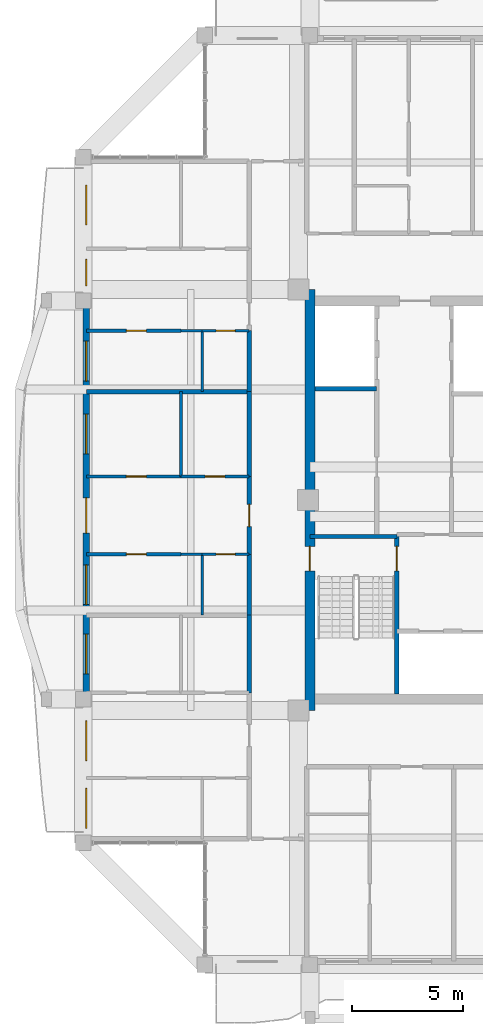
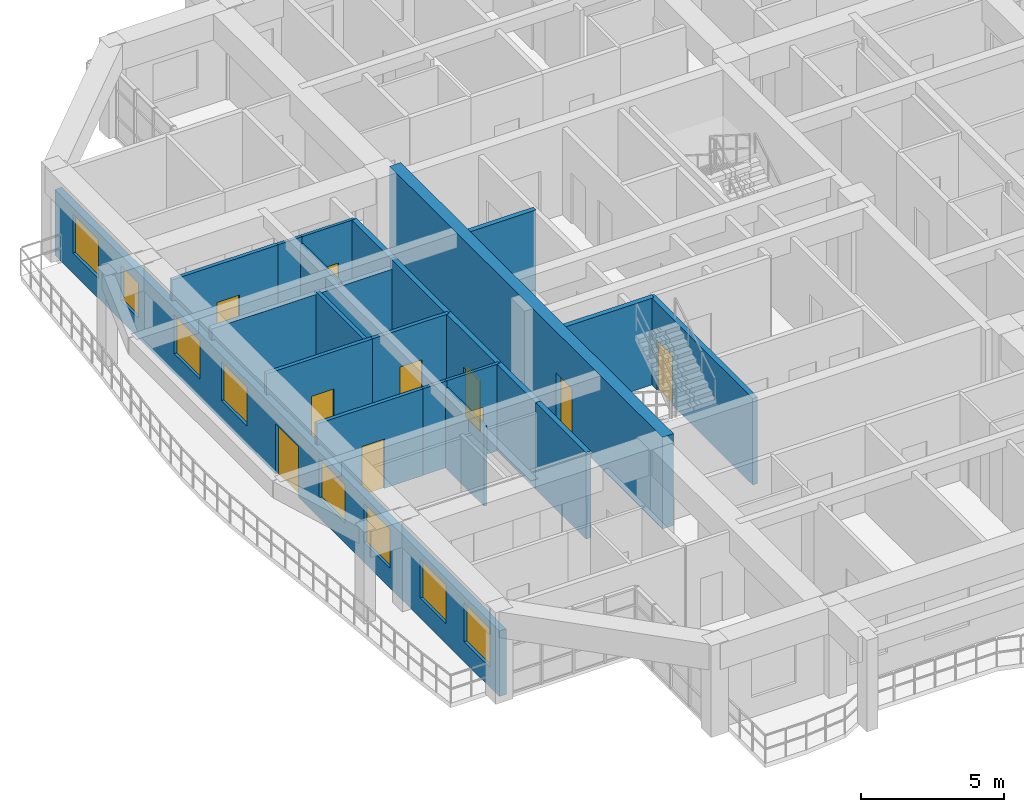
# One storey, part 17 of 27: 22 walls, 10 doors, 8 windows, 18 openings.
"""IFC4 building model written with IfcOpenShell, lengths in metres."""

from ifc_helpers import new_model, si_unit, direction, frame, frame_2d, origin, place, context, subcontext, project, spatial, rectangle, extrude, source, transform, mapped, material, layer, layer_set, type_object, element, fill, save


model = new_model("IFC4")

# Units and contexts
model_context = context("Model", 3, precision=1e-05, world=origin(), true_north=direction((0.0, 1.0)))
body_context = subcontext(model_context, "Body", "Model", "MODEL_VIEW")
ifc_project = project(units=[si_unit("LENGTHUNIT", "METRE"), si_unit("AREAUNIT", "SQUARE_METRE"), si_unit("VOLUMEUNIT", "CUBIC_METRE"), si_unit("PLANEANGLEUNIT", "RADIAN"), si_unit("MASSUNIT", "GRAM", prefix="KILO")], contexts=[model_context])

# Site, building, storey
site_placement = place(None, origin())
site = spatial("IfcSite", under=ifc_project, at=site_placement, CompositionType="ELEMENT")
building_placement = place(site_placement, origin())
building = spatial("IfcBuilding", under=site, at=building_placement, Name="Saelheon Loggia Tower", CompositionType="ELEMENT")
storey_placement = place(building_placement, frame((0.0, 0.0, 226.199951171875)))
storey = spatial("IfcBuildingStorey", under=building, at=storey_placement, Name="L70", CompositionType="ELEMENT", Elevation=226.199951171875)

# Wall, opening, door
ifc_material_1 = material(Name="Concrete C45/55", Category="concrete")
ifc_layer_1 = layer(ifc_material_1, 0.449951171875)
ifc_layer_set_1 = layer_set([ifc_layer_1], Name="Concrete C45/55")
wall_type_1 = type_object("IfcWallType", Name="Wall_CoreShear_450", PredefinedType="SHEAR", material=ifc_layer_set_1)
wall_1_placement = place(storey_placement, frame((31.5, 17.47998046875, 0.0), z_axis=(0.0, 0.0, 1.0), x_axis=(0.0, 1.0, 0.0)))
wall_1 = element("IfcWall", 1, at=wall_1_placement, inside=storey, type_object=wall_type_1, Name="L70 Core Shear Wall West", PredefinedType="SHEAR", context=body_context, shape_type="SweptSolid", body=[
    extrude(rectangle(XDim=19.0400390625, YDim=0.449951171875, at=frame_2d((9.52001953125, 0.0))), origin(), (0.0, 0.0, 1.0), 3.900146484375),
])
opening_1_placement = place(wall_1_placement, frame((6.320068359375, 0.0, 0.0)))
opening_1 = element("IfcOpeningElement", 2, at=opening_1_placement, cuts=wall_1, Name="Opening D-FD2", PredefinedType="OPENING", context=body_context, shape_type="SweptSolid", body=[
    extrude(rectangle(XDim=1.10009765625, YDim=2.14990234375, at=frame_2d((0.550048828125, 1.074951171875))), frame((0.0, 0.237060546875, 0.0), z_axis=(0.0, -1.0, 0.0), x_axis=(1.0, 0.0, 0.0)), (0.0, 0.0, 1.0), 0.473876953125),
])
ifc_material_2 = material(Name="Galvanised Steel Fire Door", Category="steel")
door_type_1 = type_object("IfcDoorType", Name="Door_Fire_FD60_1100", OperationType="NOTDEFINED", PredefinedType="DOOR", material=ifc_material_2)
shared_shape_1 = source(origin(), body_context, "Body", "SweptSolid", [
    extrude(rectangle(XDim=1.10009765625, YDim=2.14990234375, at=frame_2d((0.550048828125, 1.074951171875))), frame((0.0, 0.02490234375, 0.0), z_axis=(0.0, -1.0, 0.0), x_axis=(1.0, 0.0, 0.0)), (0.0, 0.0, 1.0), 0.050048828125),
])
door_1_placement = place(opening_1_placement, origin())
door_1 = element("IfcDoor", 3, at=door_1_placement, inside=storey, type_object=door_type_1, Name="L70 Stair ST1 Corridor Door", OperationType="SINGLE_SWING_LEFT", OverallHeight=2.14990234375, OverallWidth=1.10009765625, PredefinedType="DOOR", context=body_context, shape_type="MappedRepresentation", body=[
    mapped(shared_shape_1, transform((0.0, 0.0, 0.0), scale=1.0)),
])
fill(opening_1, door_1)

# Wall, openings, windows, door
ifc_material_3 = material(Name="Architectural Precast Concrete C40/50", Category="concrete")
ifc_layer_2 = layer(ifc_material_3, 0.280029296875)
ifc_layer_set_2 = layer_set([ifc_layer_2], Name="Architectural Precast Concrete C40/50")
wall_type_2 = type_object("IfcWallType", Name="Wall_Ext_Loggia_280", PredefinedType="SOLIDWALL", material=ifc_layer_set_2)
wall_2_placement = place(storey_placement, frame((21.389892578125, 11.5, 0.0), z_axis=(0.0, 0.0, 1.0), x_axis=(0.0, 1.0, 0.0)))
wall_2 = element("IfcWall", 4, at=wall_2_placement, inside=storey, type_object=wall_type_2, Name="L70 West Loggia Inner Wall", PredefinedType="SOLIDWALL", context=body_context, shape_type="SweptSolid", body=[
    extrude(rectangle(XDim=31.0, YDim=0.280029296875, at=frame_2d((15.5, 0.0))), origin(), (0.0, 0.0, 1.0), 2.7900390625),
])
opening_2_placement = place(wall_2_placement, frame((0.659912109375, 0.0, 0.85009765625)))
opening_2 = element("IfcOpeningElement", 5, at=opening_2_placement, cuts=wall_2, Name="Opening WN-01", PredefinedType="OPENING", context=body_context, shape_type="SweptSolid", body=[
    extrude(rectangle(XDim=1.800048828125, YDim=1.64990234375, at=frame_2d((0.89990234375, 0.824951171875))), frame((0.0, 0.152099609375, 0.0), z_axis=(0.0, -1.0, 0.0), x_axis=(1.0, 0.0, 0.0)), (0.0, 0.0, 1.0), 0.303955078125),
])
opening_3_placement = place(wall_2_placement, frame((3.719970703125, 0.0, 0.85009765625)))
opening_3 = element("IfcOpeningElement", 6, at=opening_3_placement, cuts=wall_2, Name="Opening WN-01", PredefinedType="OPENING", context=body_context, shape_type="SweptSolid", body=[
    extrude(rectangle(XDim=1.800048828125, YDim=1.64990234375, at=frame_2d((0.89990234375, 0.824951171875))), frame((0.0, 0.152099609375, 0.0), z_axis=(0.0, -1.0, 0.0), x_axis=(1.0, 0.0, 0.0)), (0.0, 0.0, 1.0), 0.303955078125),
])
opening_4_placement = place(wall_2_placement, frame((7.635498046875, 0.0, 0.85009765625)))
opening_4 = element("IfcOpeningElement", 7, at=opening_4_placement, cuts=wall_2, Name="Opening WN-01", PredefinedType="OPENING", context=body_context, shape_type="SweptSolid", body=[
    extrude(rectangle(XDim=1.800048828125, YDim=1.64990234375, at=frame_2d((0.89990234375, 0.824951171875))), frame((0.0, 0.152099609375, 0.0), z_axis=(0.0, -1.0, 0.0), x_axis=(1.0, 0.0, 0.0)), (0.0, 0.0, 1.0), 0.303955078125),
])
opening_5_placement = place(wall_2_placement, frame((10.76611328125, 0.0, 0.85009765625)))
opening_5 = element("IfcOpeningElement", 8, at=opening_5_placement, cuts=wall_2, Name="Opening WN-01", PredefinedType="OPENING", context=body_context, shape_type="SweptSolid", body=[
    extrude(rectangle(XDim=1.800048828125, YDim=1.64990234375, at=frame_2d((0.89990234375, 0.824951171875))), frame((0.0, 0.152099609375, 0.0), z_axis=(0.0, -1.0, 0.0), x_axis=(1.0, 0.0, 0.0)), (0.0, 0.0, 1.0), 0.303955078125),
])
opening_6_placement = place(wall_2_placement, frame((14.00048828125, 0.0, 0.0)))
opening_6 = element("IfcOpeningElement", 9, at=opening_6_placement, cuts=wall_2, Name="Opening DLG-1", PredefinedType="OPENING", context=body_context, shape_type="SweptSolid", body=[
    extrude(rectangle(XDim=1.60009765625, YDim=2.14990234375, at=frame_2d((0.800048828125, 1.074951171875))), frame((0.0, 0.152099609375, 0.0), z_axis=(0.0, -1.0, 0.0), x_axis=(1.0, 0.0, 0.0)), (0.0, 0.0, 1.0), 0.303955078125),
])
opening_7_placement = place(wall_2_placement, frame((17.581298828125, 0.0, 0.85009765625)))
opening_7 = element("IfcOpeningElement", 10, at=opening_7_placement, cuts=wall_2, Name="Opening WN-01", PredefinedType="OPENING", context=body_context, shape_type="SweptSolid", body=[
    extrude(rectangle(XDim=1.800048828125, YDim=1.64990234375, at=frame_2d((0.89990234375, 0.824951171875))), frame((0.0, 0.152099609375, 0.0), z_axis=(0.0, -1.0, 0.0), x_axis=(1.0, 0.0, 0.0)), (0.0, 0.0, 1.0), 0.303955078125),
])
opening_8_placement = place(wall_2_placement, frame((20.87744140625, 0.0, 0.85009765625)))
opening_8 = element("IfcOpeningElement", 11, at=opening_8_placement, cuts=wall_2, Name="Opening WN-01", PredefinedType="OPENING", context=body_context, shape_type="SweptSolid", body=[
    extrude(rectangle(XDim=1.800048828125, YDim=1.64990234375, at=frame_2d((0.89990234375, 0.824951171875))), frame((0.0, 0.152099609375, 0.0), z_axis=(0.0, -1.0, 0.0), x_axis=(1.0, 0.0, 0.0)), (0.0, 0.0, 1.0), 0.303955078125),
])
opening_9_placement = place(wall_2_placement, frame((25.175537109375, 0.0, 0.85009765625)))
opening_9 = element("IfcOpeningElement", 12, at=opening_9_placement, cuts=wall_2, Name="Opening WN-03", PredefinedType="OPENING", context=body_context, shape_type="SweptSolid", body=[
    extrude(rectangle(XDim=1.199951171875, YDim=1.5, at=frame_2d((0.60009765625, 0.75))), frame((0.0, 0.152099609375, 0.0), z_axis=(0.0, -1.0, 0.0), x_axis=(1.0, 0.0, 0.0)), (0.0, 0.0, 1.0), 0.303955078125),
])
opening_10_placement = place(wall_2_placement, frame((27.935791015625, 0.0, 0.85009765625)))
opening_10 = element("IfcOpeningElement", 13, at=opening_10_placement, cuts=wall_2, Name="Opening WN-01", PredefinedType="OPENING", context=body_context, shape_type="SweptSolid", body=[
    extrude(rectangle(XDim=1.800048828125, YDim=1.64990234375, at=frame_2d((0.89990234375, 0.824951171875))), frame((0.0, 0.152099609375, 0.0), z_axis=(0.0, -1.0, 0.0), x_axis=(1.0, 0.0, 0.0)), (0.0, 0.0, 1.0), 0.303955078125),
])
ifc_material_4 = material(Name="Thermal-Break Aluminium and Triple Low-E Glass", Category="aluminium")
window_type_1 = type_object("IfcWindowType", Name="Win_Dwelling_1800x1650", PartitioningType="SINGLE_PANEL", PredefinedType="WINDOW", material=ifc_material_4)
shared_shape_2 = source(origin(), body_context, "Body", "SweptSolid", [
    extrude(rectangle(XDim=1.800048828125, YDim=1.64990234375, at=frame_2d((0.89990234375, 0.824951171875))), frame((0.0, 0.030029296875, 0.0), z_axis=(0.0, -1.0, 0.0), x_axis=(1.0, 0.0, 0.0)), (0.0, 0.0, 1.0), 0.06005859375),
])
window_1_placement = place(opening_2_placement, origin())
window_1 = element("IfcWindow", 14, at=window_1_placement, inside=storey, type_object=window_type_1, Name="L70 W Dwelling Window 1", OverallHeight=1.64990234375, OverallWidth=1.800048828125, PartitioningType="SINGLE_PANEL", PredefinedType="WINDOW", context=body_context, shape_type="MappedRepresentation", body=[
    mapped(shared_shape_2, transform((0.0, 0.0, 0.0), scale=1.0)),
])
fill(opening_2, window_1)
window_2_placement = place(opening_3_placement, origin())
window_2 = element("IfcWindow", 15, at=window_2_placement, inside=storey, type_object=window_type_1, Name="L70 W Dwelling Window 2", OverallHeight=1.64990234375, OverallWidth=1.800048828125, PartitioningType="SINGLE_PANEL", PredefinedType="WINDOW", context=body_context, shape_type="MappedRepresentation", body=[
    mapped(shared_shape_2, transform((0.0, 0.0, 0.0), scale=1.0)),
])
fill(opening_3, window_2)
window_3_placement = place(opening_4_placement, origin())
window_3 = element("IfcWindow", 16, at=window_3_placement, inside=storey, type_object=window_type_1, Name="L70 W Dwelling Window 3", OverallHeight=1.64990234375, OverallWidth=1.800048828125, PartitioningType="SINGLE_PANEL", PredefinedType="WINDOW", context=body_context, shape_type="MappedRepresentation", body=[
    mapped(shared_shape_2, transform((0.0, 0.0, 0.0), scale=1.0)),
])
fill(opening_4, window_3)
window_4_placement = place(opening_5_placement, origin())
window_4 = element("IfcWindow", 17, at=window_4_placement, inside=storey, type_object=window_type_1, Name="L70 W Dwelling Window 4", OverallHeight=1.64990234375, OverallWidth=1.800048828125, PartitioningType="SINGLE_PANEL", PredefinedType="WINDOW", context=body_context, shape_type="MappedRepresentation", body=[
    mapped(shared_shape_2, transform((0.0, 0.0, 0.0), scale=1.0)),
])
fill(opening_5, window_4)
window_5_placement = place(opening_7_placement, origin())
window_5 = element("IfcWindow", 18, at=window_5_placement, inside=storey, type_object=window_type_1, Name="L70 W Dwelling Window 6", OverallHeight=1.64990234375, OverallWidth=1.800048828125, PartitioningType="SINGLE_PANEL", PredefinedType="WINDOW", context=body_context, shape_type="MappedRepresentation", body=[
    mapped(shared_shape_2, transform((0.0, 0.0, 0.0), scale=1.0)),
])
fill(opening_7, window_5)
window_6_placement = place(opening_8_placement, origin())
window_6 = element("IfcWindow", 19, at=window_6_placement, inside=storey, type_object=window_type_1, Name="L70 W Dwelling Window 7", OverallHeight=1.64990234375, OverallWidth=1.800048828125, PartitioningType="SINGLE_PANEL", PredefinedType="WINDOW", context=body_context, shape_type="MappedRepresentation", body=[
    mapped(shared_shape_2, transform((0.0, 0.0, 0.0), scale=1.0)),
])
fill(opening_8, window_6)
window_7_placement = place(opening_10_placement, origin())
window_7 = element("IfcWindow", 20, at=window_7_placement, inside=storey, type_object=window_type_1, Name="L70 W Dwelling Window 9", OverallHeight=1.64990234375, OverallWidth=1.800048828125, PartitioningType="SINGLE_PANEL", PredefinedType="WINDOW", context=body_context, shape_type="MappedRepresentation", body=[
    mapped(shared_shape_2, transform((0.0, 0.0, 0.0), scale=1.0)),
])
fill(opening_10, window_7)
window_type_2 = type_object("IfcWindowType", Name="Win_Bedroom_1200x1500", PartitioningType="SINGLE_PANEL", PredefinedType="WINDOW", material=ifc_material_4)
shared_shape_3 = source(origin(), body_context, "Body", "SweptSolid", [
    extrude(rectangle(XDim=1.199951171875, YDim=1.5, at=frame_2d((0.60009765625, 0.75))), frame((0.0, 0.030029296875, 0.0), z_axis=(0.0, -1.0, 0.0), x_axis=(1.0, 0.0, 0.0)), (0.0, 0.0, 1.0), 0.06005859375),
])
window_8_placement = place(opening_9_placement, origin())
window_8 = element("IfcWindow", 21, at=window_8_placement, inside=storey, type_object=window_type_2, Name="L70 W Dwelling Window 8", OverallHeight=1.5, OverallWidth=1.199951171875, PartitioningType="SINGLE_PANEL", PredefinedType="WINDOW", context=body_context, shape_type="MappedRepresentation", body=[
    mapped(shared_shape_3, transform((0.0, 0.0, 0.0), scale=1.0)),
])
fill(opening_9, window_8)
ifc_material_5 = material(Name="Thermal-Break Aluminium Sliding Glazed Door", Category="aluminium")
door_type_2 = type_object("IfcDoorType", Name="Door_LoggiaSlide_1600", OperationType="SLIDING_TO_LEFT", PredefinedType="DOOR", material=ifc_material_5)
shared_shape_4 = source(origin(), body_context, "Body", "SweptSolid", [
    extrude(rectangle(XDim=1.60009765625, YDim=2.14990234375, at=frame_2d((0.800048828125, 1.074951171875))), frame((0.0, 0.02490234375, 0.0), z_axis=(0.0, -1.0, 0.0), x_axis=(1.0, 0.0, 0.0)), (0.0, 0.0, 1.0), 0.050048828125),
])
door_2_placement = place(opening_6_placement, origin())
door_2 = element("IfcDoor", 22, at=door_2_placement, inside=storey, type_object=door_type_2, Name="L70 W Loggia Access Door", OperationType="SLIDING_TO_LEFT", OverallHeight=2.14990234375, OverallWidth=1.60009765625, PredefinedType="DOOR", context=body_context, shape_type="MappedRepresentation", body=[
    mapped(shared_shape_4, transform((0.0, 0.0, 0.0), scale=1.0)),
])
fill(opening_6, door_2)

# Wall
ifc_material_6 = material(Name="Lightweight Autoclaved Aerated Concrete Block and Acoustic Gypsum", Category="concrete")
ifc_layer_3 = layer(ifc_material_6, 0.14990234375)
ifc_layer_set_3 = layer_set([ifc_layer_3], Name="Lightweight Autoclaved Aerated Concrete Block and Acoustic Gypsum")
wall_type_3 = type_object("IfcWallType", Name="Wall_Part_150", PredefinedType="PARTITIONING", material=ifc_layer_set_3)
wall_3_placement = place(storey_placement, frame((25.669921875, 28.06005859375, 0.0), z_axis=(0.0, 0.0, 1.0), x_axis=(0.0, 1.0, 0.0)))
element("IfcWall", 23, at=wall_3_placement, inside=storey, type_object=wall_type_3, Name="L70 W Partition V18", PredefinedType="PARTITIONING", context=body_context, shape_type="SweptSolid", body=[
    extrude(rectangle(XDim=3.84228515625, YDim=0.14990234375, at=frame_2d((1.921142578125, 0.0))), origin(), (0.0, 0.0, 1.0), 3.39013671875),
])

# Wall, opening, door
wall_4_placement = place(storey_placement, frame((25.669921875, 24.541259765625, 0.0), z_axis=(0.0, 0.0, 1.0), x_axis=(-1.0, 0.0, 0.0)))
wall_4 = element("IfcWall", 24, at=wall_4_placement, inside=storey, type_object=wall_type_3, Name="L70 W Partition U21", PredefinedType="PARTITIONING", context=body_context, shape_type="SweptSolid", body=[
    extrude(rectangle(XDim=4.27001953125, YDim=0.14990234375, at=frame_2d((2.135009765625, 0.0))), origin(), (0.0, 0.0, 1.0), 3.68994140625),
])
opening_11_placement = place(wall_4_placement, frame((1.564697265625, 0.0, 0.0)))
opening_11 = element("IfcOpeningElement", 25, at=opening_11_placement, cuts=wall_4, Name="Opening D-IN2", PredefinedType="OPENING", context=body_context, shape_type="SweptSolid", body=[
    extrude(rectangle(XDim=0.89990234375, YDim=2.10009765625, at=frame_2d((0.449951171875, 1.050048828125))), frame((0.0, 0.0869140625, 0.0), z_axis=(0.0, -1.0, 0.0), x_axis=(1.0, 0.0, 0.0)), (0.0, 0.0, 1.0), 0.173828125),
])
ifc_material_7 = material(Name="Engineered Oak Flush Door", Category="timber")
door_type_3 = type_object("IfcDoorType", Name="Door_Int_900", OperationType="NOTDEFINED", PredefinedType="DOOR", material=ifc_material_7)
shared_shape_5 = source(origin(), body_context, "Body", "SweptSolid", [
    extrude(rectangle(XDim=0.89990234375, YDim=2.10009765625, at=frame_2d((0.449951171875, 1.050048828125))), frame((0.0, 0.02490234375, 0.0), z_axis=(0.0, -1.0, 0.0), x_axis=(1.0, 0.0, 0.0)), (0.0, 0.0, 1.0), 0.050048828125),
])
door_3_placement = place(opening_11_placement, origin())
door_3 = element("IfcDoor", 26, at=door_3_placement, inside=storey, type_object=door_type_3, Name="Unit U06 Kitchen Door", OperationType="SINGLE_SWING_RIGHT", OverallHeight=2.10009765625, OverallWidth=0.89990234375, PredefinedType="DOOR", context=body_context, shape_type="MappedRepresentation", body=[
    mapped(shared_shape_5, transform((0.0, 0.0, 0.0), scale=1.0)),
])
fill(opening_11, door_3)

wall_5_placement = place(storey_placement, frame((28.75, 28.06005859375, 0.0), z_axis=(0.0, 0.0, 1.0), x_axis=(-1.0, 0.0, 0.0)))
wall_5 = element("IfcWall", 27, at=wall_5_placement, inside=storey, type_object=wall_type_3, Name="L70 W Partition U22", PredefinedType="PARTITIONING", context=body_context, shape_type="SweptSolid", body=[
    extrude(rectangle(XDim=3.080078125, YDim=0.14990234375, at=frame_2d((1.5400390625, 0.0))), origin(), (0.0, 0.0, 1.0), 3.68994140625),
])
opening_12_placement = place(wall_5_placement, frame((1.090087890625, 0.0, 0.0)))
opening_12 = element("IfcOpeningElement", 28, at=opening_12_placement, cuts=wall_5, Name="Opening D-IN2", PredefinedType="OPENING", context=body_context, shape_type="SweptSolid", body=[
    extrude(rectangle(XDim=0.89990234375, YDim=2.10009765625, at=frame_2d((0.449951171875, 1.050048828125))), frame((0.0, 0.0869140625, 0.0), z_axis=(0.0, -1.0, 0.0), x_axis=(1.0, 0.0, 0.0)), (0.0, 0.0, 1.0), 0.173828125),
])
door_4_placement = place(opening_12_placement, origin())
door_4 = element("IfcDoor", 29, at=door_4_placement, inside=storey, type_object=door_type_3, Name="Unit U06 Home Office Door", OperationType="SINGLE_SWING_LEFT", OverallHeight=2.10009765625, OverallWidth=0.89990234375, PredefinedType="DOOR", context=body_context, shape_type="MappedRepresentation", body=[
    mapped(shared_shape_5, transform((0.0, 0.0, 0.0), scale=1.0)),
])
fill(opening_12, door_4)

wall_6_placement = place(storey_placement, frame((25.669921875, 28.06005859375, 0.0), z_axis=(0.0, 0.0, 1.0), x_axis=(-1.0, 0.0, 0.0)))
wall_6 = element("IfcWall", 30, at=wall_6_placement, inside=storey, type_object=wall_type_3, Name="L70 W Partition U23", PredefinedType="PARTITIONING", context=body_context, shape_type="SweptSolid", body=[
    extrude(rectangle(XDim=4.27001953125, YDim=0.14990234375, at=frame_2d((2.135009765625, 0.0))), origin(), (0.0, 0.0, 1.0), 3.68994140625),
])
opening_13_placement = place(wall_6_placement, frame((1.564697265625, 0.0, 0.0)))
opening_13 = element("IfcOpeningElement", 31, at=opening_13_placement, cuts=wall_6, Name="Opening D-IN2", PredefinedType="OPENING", context=body_context, shape_type="SweptSolid", body=[
    extrude(rectangle(XDim=0.89990234375, YDim=2.10009765625, at=frame_2d((0.449951171875, 1.050048828125))), frame((0.0, 0.0869140625, 0.0), z_axis=(0.0, -1.0, 0.0), x_axis=(1.0, 0.0, 0.0)), (0.0, 0.0, 1.0), 0.173828125),
])
door_5_placement = place(opening_13_placement, origin())
door_5 = element("IfcDoor", 32, at=door_5_placement, inside=storey, type_object=door_type_3, Name="Unit U06 Bedroom 1 Door", OperationType="SINGLE_SWING_RIGHT", OverallHeight=2.10009765625, OverallWidth=0.89990234375, PredefinedType="DOOR", context=body_context, shape_type="MappedRepresentation", body=[
    mapped(shared_shape_5, transform((0.0, 0.0, 0.0), scale=1.0)),
])
fill(opening_13, door_5)

wall_7_placement = place(storey_placement, frame((25.669921875, 34.65234375, 0.0), z_axis=(0.0, 0.0, 1.0), x_axis=(-1.0, 0.0, 0.0)))
wall_7 = element("IfcWall", 33, at=wall_7_placement, inside=storey, type_object=wall_type_3, Name="L70 W Partition U32", PredefinedType="PARTITIONING", context=body_context, shape_type="SweptSolid", body=[
    extrude(rectangle(XDim=4.27001953125, YDim=0.14990234375, at=frame_2d((2.135009765625, 0.0))), origin(), (0.0, 0.0, 1.0), 3.68994140625),
])
opening_14_placement = place(wall_7_placement, frame((1.564697265625, 0.0, 0.0)))
opening_14 = element("IfcOpeningElement", 34, at=opening_14_placement, cuts=wall_7, Name="Opening D-IN2", PredefinedType="OPENING", context=body_context, shape_type="SweptSolid", body=[
    extrude(rectangle(XDim=0.89990234375, YDim=2.10009765625, at=frame_2d((0.449951171875, 1.050048828125))), frame((0.0, 0.0869140625, 0.0), z_axis=(0.0, -1.0, 0.0), x_axis=(1.0, 0.0, 0.0)), (0.0, 0.0, 1.0), 0.173828125),
])
door_6_placement = place(opening_14_placement, origin())
door_6 = element("IfcDoor", 35, at=door_6_placement, inside=storey, type_object=door_type_3, Name="Unit U07 Kitchen Door", OperationType="SINGLE_SWING_LEFT", OverallHeight=2.10009765625, OverallWidth=0.89990234375, PredefinedType="DOOR", context=body_context, shape_type="MappedRepresentation", body=[
    mapped(shared_shape_5, transform((0.0, 0.0, 0.0), scale=1.0)),
])
fill(opening_14, door_6)

# Walls
ifc_material_8 = material(Name="Double Acoustic Stud and Fireboard Partition", Category="gypsum")
ifc_layer_4 = layer(ifc_material_8, 0.199951171875)
ifc_layer_set_4 = layer_set([ifc_layer_4], Name="Double Acoustic Stud and Fireboard Partition")
wall_type_4 = type_object("IfcWallType", Name="Wall_Party_200", PredefinedType="PARTITIONING", material=ifc_layer_set_4)
wall_8_placement = place(storey_placement, frame((28.75, 18.280029296875, 0.0), z_axis=(0.0, 0.0, 1.0), x_axis=(0.0, 1.0, 0.0)))
element("IfcWall", 36, at=wall_8_placement, inside=storey, type_object=wall_type_4, Name="L70 W Partition V05", PredefinedType="PARTITIONING", context=body_context, shape_type="SweptSolid", body=[
    extrude(rectangle(XDim=3.51123046875, YDim=0.199951171875, at=frame_2d((1.755615234375, 0.0))), origin(), (0.0, 0.0, 1.0), 3.68994140625),
])
wall_9_placement = place(storey_placement, frame((28.75, 21.791259765625, 0.0), z_axis=(0.0, 0.0, 1.0), x_axis=(0.0, 1.0, 0.0)))
element("IfcWall", 37, at=wall_9_placement, inside=storey, type_object=wall_type_4, Name="L70 W Partition V14", PredefinedType="PARTITIONING", context=body_context, shape_type="SweptSolid", body=[
    extrude(rectangle(XDim=2.75, YDim=0.199951171875, at=frame_2d((1.375, 0.0))), origin(), (0.0, 0.0, 1.0), 3.68994140625),
])

# Wall, opening, door
wall_10_placement = place(storey_placement, frame((28.75, 24.541259765625, 0.0), z_axis=(0.0, 0.0, 1.0), x_axis=(0.0, 1.0, 0.0)))
wall_10 = element("IfcWall", 38, at=wall_10_placement, inside=storey, type_object=wall_type_4, Name="L70 W Partition V15", PredefinedType="PARTITIONING", context=body_context, shape_type="SweptSolid", body=[
    extrude(rectangle(XDim=3.518798828125, YDim=0.199951171875, at=frame_2d((1.75927734375, 0.0))), origin(), (0.0, 0.0, 1.0), 3.68994140625),
])
opening_15_placement = place(wall_10_placement, frame((1.259521484375, 0.0, 0.0)))
opening_15 = element("IfcOpeningElement", 39, at=opening_15_placement, cuts=wall_10, Name="Opening D-FD1", PredefinedType="OPENING", context=body_context, shape_type="SweptSolid", body=[
    extrude(rectangle(XDim=1.0, YDim=2.14990234375, at=frame_2d((0.5, 1.074951171875))), frame((0.0, 0.112060546875, 0.0), z_axis=(0.0, -1.0, 0.0), x_axis=(1.0, 0.0, 0.0)), (0.0, 0.0, 1.0), 0.223876953125),
])
ifc_material_9 = material(Name="Fire-Rated Engineered Timber Entrance Door", Category="wood")
door_type_4 = type_object("IfcDoorType", Name="Door_Flat_FD30S", OperationType="NOTDEFINED", PredefinedType="DOOR", material=ifc_material_9)
shared_shape_6 = source(origin(), body_context, "Body", "SweptSolid", [
    extrude(rectangle(XDim=1.0, YDim=2.14990234375, at=frame_2d((0.5, 1.074951171875))), frame((0.0, 0.02490234375, 0.0), z_axis=(0.0, -1.0, 0.0), x_axis=(1.0, 0.0, 0.0)), (0.0, 0.0, 1.0), 0.050048828125),
])
door_7_placement = place(opening_15_placement, origin())
door_7 = element("IfcDoor", 40, at=door_7_placement, inside=storey, type_object=door_type_4, Name="Unit U06 Entrance Door", OperationType="SINGLE_SWING_RIGHT", OverallHeight=2.14990234375, OverallWidth=1.0, PredefinedType="DOOR", context=body_context, shape_type="MappedRepresentation", body=[
    mapped(shared_shape_6, transform((0.0, 0.0, 0.0), scale=1.0)),
])
fill(opening_15, door_7)

# Walls
wall_11_placement = place(storey_placement, frame((28.75, 28.06005859375, 0.0), z_axis=(0.0, 0.0, 1.0), x_axis=(0.0, 1.0, 0.0)))
element("IfcWall", 41, at=wall_11_placement, inside=storey, type_object=wall_type_4, Name="L70 W Partition V16", PredefinedType="PARTITIONING", context=body_context, shape_type="SweptSolid", body=[
    extrude(rectangle(XDim=3.84228515625, YDim=0.199951171875, at=frame_2d((1.921142578125, 0.0))), origin(), (0.0, 0.0, 1.0), 3.68994140625),
])
wall_12_placement = place(storey_placement, frame((28.75, 31.90234375, 0.0), z_axis=(0.0, 0.0, 1.0), x_axis=(-1.0, 0.0, 0.0)))
element("IfcWall", 42, at=wall_12_placement, inside=storey, type_object=wall_type_4, Name="L70 W Partition U24", PredefinedType="PARTITIONING", context=body_context, shape_type="SweptSolid", body=[
    extrude(rectangle(XDim=7.35009765625, YDim=0.199951171875, at=frame_2d((3.675048828125, 0.0))), origin(), (0.0, 0.0, 1.0), 3.2900390625),
])
wall_13_placement = place(storey_placement, frame((28.75, 31.90234375, 0.0), z_axis=(0.0, 0.0, 1.0), x_axis=(0.0, 1.0, 0.0)))
element("IfcWall", 43, at=wall_13_placement, inside=storey, type_object=wall_type_4, Name="L70 W Partition V25", PredefinedType="PARTITIONING", context=body_context, shape_type="SweptSolid", body=[
    extrude(rectangle(XDim=2.75, YDim=0.199951171875, at=frame_2d((1.375, 0.0))), origin(), (0.0, 0.0, 1.0), 3.68994140625),
])
ifc_material_10 = material(Name="Concrete C40/50", Category="concrete")
ifc_layer_5 = layer(ifc_material_10, 0.199951171875)
ifc_layer_set_5 = layer_set([ifc_layer_5], Name="Concrete C40/50")
wall_type_5 = type_object("IfcWallType", Name="Wall_Shaft_200", PredefinedType="PARTITIONING", material=ifc_layer_set_5)
wall_14_placement = place(storey_placement, frame((31.719970703125, 32.02001953125, 0.0), z_axis=(0.0, 0.0, 1.0), x_axis=(1.0, 0.0, 0.0)))
element("IfcWall", 44, at=wall_14_placement, inside=storey, type_object=wall_type_5, Name="L70 West High-Rise Shaft Divider", PredefinedType="PARTITIONING", context=body_context, shape_type="SweptSolid", body=[
    extrude(rectangle(XDim=2.800048828125, YDim=0.199951171875, at=frame_2d((1.39990234375, 0.0))), origin(), (0.0, 0.0, 1.0), 3.68994140625),
])

# Wall, opening, door
ifc_layer_6 = layer(ifc_material_1, 0.199951171875)
ifc_layer_set_6 = layer_set([ifc_layer_6], Name="Concrete C45/55")
wall_type_6 = type_object("IfcWallType", Name="Wall_StairShaft_RC200", PredefinedType="SOLIDWALL", material=ifc_layer_set_6)
wall_15_placement = place(storey_placement, frame((35.429931640625, 18.219970703125, 0.0), z_axis=(0.0, 0.0, 1.0), x_axis=(0.0, 1.0, 0.0)))
wall_15 = element("IfcWall", 45, at=wall_15_placement, inside=storey, type_object=wall_type_6, Name="L70 Stair ST1 Shaft Wall", PredefinedType="SOLIDWALL", context=body_context, shape_type="SweptSolid", body=[
    extrude(rectangle(XDim=7.219970703125, YDim=0.199951171875, at=frame_2d((3.60986328125, 0.0))), origin(), (0.0, 0.0, 1.0), 3.68994140625),
])
opening_16_placement = place(wall_15_placement, frame((6.68017578125, 0.0, 0.0), z_axis=(0.0, 0.0, 1.0), x_axis=(-1.0, 0.0, 0.0)))
opening_16 = element("IfcOpeningElement", 46, at=opening_16_placement, cuts=wall_15, Name="Opening D-FD2", PredefinedType="OPENING", context=body_context, shape_type="SweptSolid", body=[
    extrude(rectangle(XDim=1.10009765625, YDim=2.14990234375, at=frame_2d((0.550048828125, 1.074951171875))), frame((0.0, 0.112060546875, 0.0), z_axis=(0.0, -1.0, 0.0), x_axis=(1.0, 0.0, 0.0)), (0.0, 0.0, 1.0), 0.223876953125),
])
door_8_placement = place(opening_16_placement, origin())
door_8 = element("IfcDoor", 47, at=door_8_placement, inside=storey, type_object=door_type_1, Name="L70 Stair ST1 Lobby Door", OperationType="SINGLE_SWING_LEFT", OverallHeight=2.14990234375, OverallWidth=1.10009765625, PredefinedType="DOOR", context=body_context, shape_type="MappedRepresentation", body=[
    mapped(shared_shape_1, transform((0.0, 0.0, 0.0), scale=1.0)),
])
fill(opening_16, door_8)

# Walls
wall_16_placement = place(storey_placement, frame((31.5, 25.35009765625, 0.0), z_axis=(0.0, 0.0, 1.0), x_axis=(1.0, 0.0, 0.0)))
element("IfcWall", 48, at=wall_16_placement, inside=storey, type_object=wall_type_6, Name="L70 Stair ST1 North Wall", PredefinedType="SOLIDWALL", context=body_context, shape_type="SweptSolid", body=[
    extrude(rectangle(XDim=3.929931640625, YDim=0.199951171875, at=frame_2d((1.96484375, 0.0))), origin(), (0.0, 0.0, 1.0), 3.68994140625),
])
ifc_material_11 = material(Name="Moisture-Resistant Cement Board Partition", Category="gypsum")
ifc_layer_7 = layer(ifc_material_11, 0.1201171875)
ifc_layer_set_7 = layer_set([ifc_layer_7], Name="Moisture-Resistant Cement Board Partition")
wall_type_7 = type_object("IfcWallType", Name="Wall_WetPart_120", PredefinedType="PARTITIONING", material=ifc_layer_set_7)
wall_17_placement = place(storey_placement, frame((26.6298828125, 21.791259765625, 0.0), z_axis=(0.0, 0.0, 1.0), x_axis=(0.0, 1.0, 0.0)))
element("IfcWall", 49, at=wall_17_placement, inside=storey, type_object=wall_type_7, Name="L70 W Partition V17", PredefinedType="PARTITIONING", context=body_context, shape_type="SweptSolid", body=[
    extrude(rectangle(XDim=2.75, YDim=0.1201171875, at=frame_2d((1.375, 0.0))), origin(), (0.0, 0.0, 1.0), 3.39013671875),
])

# Wall, opening, door
wall_18_placement = place(storey_placement, frame((28.75, 24.541259765625, 0.0), z_axis=(0.0, 0.0, 1.0), x_axis=(-1.0, 0.0, 0.0)))
wall_18 = element("IfcWall", 50, at=wall_18_placement, inside=storey, type_object=wall_type_7, Name="L70 W Partition U19", PredefinedType="PARTITIONING", context=body_context, shape_type="SweptSolid", body=[
    extrude(rectangle(XDim=2.1201171875, YDim=0.1201171875, at=frame_2d((1.06005859375, 0.0))), origin(), (0.0, 0.0, 1.0), 3.68994140625),
])
opening_17_placement = place(wall_18_placement, frame((0.635009765625, 0.0, 0.0)))
opening_17 = element("IfcOpeningElement", 51, at=opening_17_placement, cuts=wall_18, Name="Opening D-BT1", PredefinedType="OPENING", context=body_context, shape_type="SweptSolid", body=[
    extrude(rectangle(XDim=0.85009765625, YDim=2.050048828125, at=frame_2d((0.425048828125, 1.02490234375))), frame((0.0, 0.072021484375, 0.0), z_axis=(0.0, -1.0, 0.0), x_axis=(1.0, 0.0, 0.0)), (0.0, 0.0, 1.0), 0.14404296875),
])
ifc_material_12 = material(Name="Moisture-Resistant Laminate Timber Door", Category="wood")
door_type_5 = type_object("IfcDoorType", Name="Door_Bath_850", OperationType="NOTDEFINED", PredefinedType="DOOR", material=ifc_material_12)
shared_shape_7 = source(origin(), body_context, "Body", "SweptSolid", [
    extrude(rectangle(XDim=0.85009765625, YDim=2.050048828125, at=frame_2d((0.425048828125, 1.02490234375))), frame((0.0, 0.02490234375, 0.0), z_axis=(0.0, -1.0, 0.0), x_axis=(1.0, 0.0, 0.0)), (0.0, 0.0, 1.0), 0.050048828125),
])
door_9_placement = place(opening_17_placement, origin())
door_9 = element("IfcDoor", 52, at=door_9_placement, inside=storey, type_object=door_type_5, Name="Unit U06 Bathroom Door", OperationType="SINGLE_SWING_LEFT", OverallHeight=2.050048828125, OverallWidth=0.85009765625, PredefinedType="DOOR", context=body_context, shape_type="MappedRepresentation", body=[
    mapped(shared_shape_7, transform((0.0, 0.0, 0.0), scale=1.0)),
])
fill(opening_17, door_9)

# Walls
wall_19_placement = place(storey_placement, frame((26.6298828125, 24.541259765625, 0.0), z_axis=(0.0, 0.0, 1.0), x_axis=(-1.0, 0.0, 0.0)))
element("IfcWall", 53, at=wall_19_placement, inside=storey, type_object=wall_type_7, Name="L70 W Partition U20", PredefinedType="PARTITIONING", context=body_context, shape_type="SweptSolid", body=[
    extrude(rectangle(XDim=0.9599609375, YDim=0.1201171875, at=frame_2d((0.47998046875, 0.0))), origin(), (0.0, 0.0, 1.0), 3.68994140625),
])
wall_20_placement = place(storey_placement, frame((26.6298828125, 31.90234375, 0.0), z_axis=(0.0, 0.0, 1.0), x_axis=(0.0, 1.0, 0.0)))
element("IfcWall", 54, at=wall_20_placement, inside=storey, type_object=wall_type_7, Name="L70 W Partition V28", PredefinedType="PARTITIONING", context=body_context, shape_type="SweptSolid", body=[
    extrude(rectangle(XDim=2.75, YDim=0.1201171875, at=frame_2d((1.375, 0.0))), origin(), (0.0, 0.0, 1.0), 3.39013671875),
])

# Wall, opening, door
wall_21_placement = place(storey_placement, frame((28.75, 34.65234375, 0.0), z_axis=(0.0, 0.0, 1.0), x_axis=(-1.0, 0.0, 0.0)))
wall_21 = element("IfcWall", 55, at=wall_21_placement, inside=storey, type_object=wall_type_7, Name="L70 W Partition U30", PredefinedType="PARTITIONING", context=body_context, shape_type="SweptSolid", body=[
    extrude(rectangle(XDim=2.1201171875, YDim=0.1201171875, at=frame_2d((1.06005859375, 0.0))), origin(), (0.0, 0.0, 1.0), 3.68994140625),
])
opening_18_placement = place(wall_21_placement, frame((0.635009765625, 0.0, 0.0)))
opening_18 = element("IfcOpeningElement", 56, at=opening_18_placement, cuts=wall_21, Name="Opening D-BT1", PredefinedType="OPENING", context=body_context, shape_type="SweptSolid", body=[
    extrude(rectangle(XDim=0.85009765625, YDim=2.050048828125, at=frame_2d((0.425048828125, 1.02490234375))), frame((0.0, 0.072021484375, 0.0), z_axis=(0.0, -1.0, 0.0), x_axis=(1.0, 0.0, 0.0)), (0.0, 0.0, 1.0), 0.14404296875),
])
door_10_placement = place(opening_18_placement, origin())
door_10 = element("IfcDoor", 57, at=door_10_placement, inside=storey, type_object=door_type_5, Name="Unit U07 Bathroom Door", OperationType="SINGLE_SWING_RIGHT", OverallHeight=2.050048828125, OverallWidth=0.85009765625, PredefinedType="DOOR", context=body_context, shape_type="MappedRepresentation", body=[
    mapped(shared_shape_7, transform((0.0, 0.0, 0.0), scale=1.0)),
])
fill(opening_18, door_10)

# Wall
wall_22_placement = place(storey_placement, frame((26.6298828125, 34.65234375, 0.0), z_axis=(0.0, 0.0, 1.0), x_axis=(-1.0, 0.0, 0.0)))
element("IfcWall", 58, at=wall_22_placement, inside=storey, type_object=wall_type_7, Name="L70 W Partition U31", PredefinedType="PARTITIONING", context=body_context, shape_type="SweptSolid", body=[
    extrude(rectangle(XDim=0.9599609375, YDim=0.1201171875, at=frame_2d((0.47998046875, 0.0))), origin(), (0.0, 0.0, 1.0), 3.68994140625),
])

save(model, "model.ifc")
